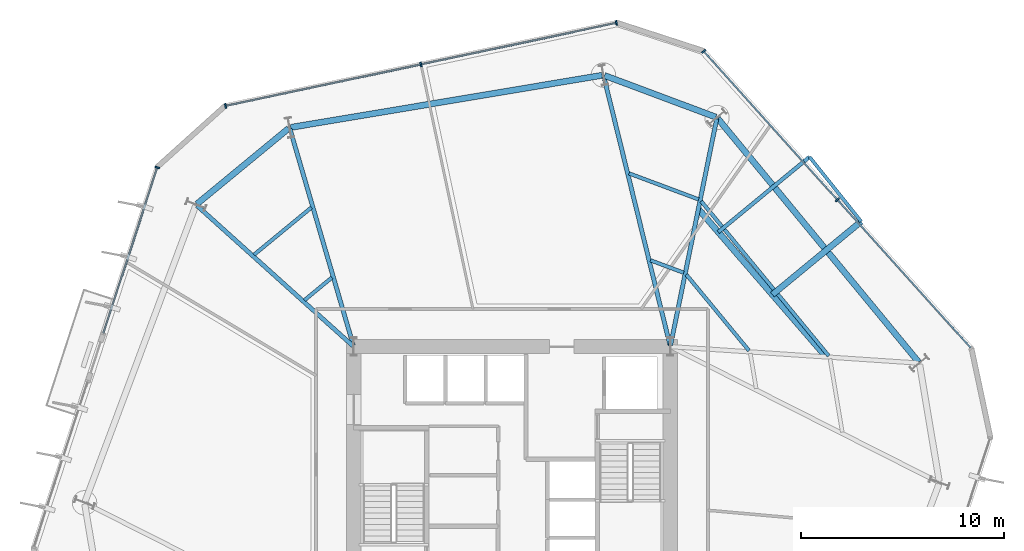
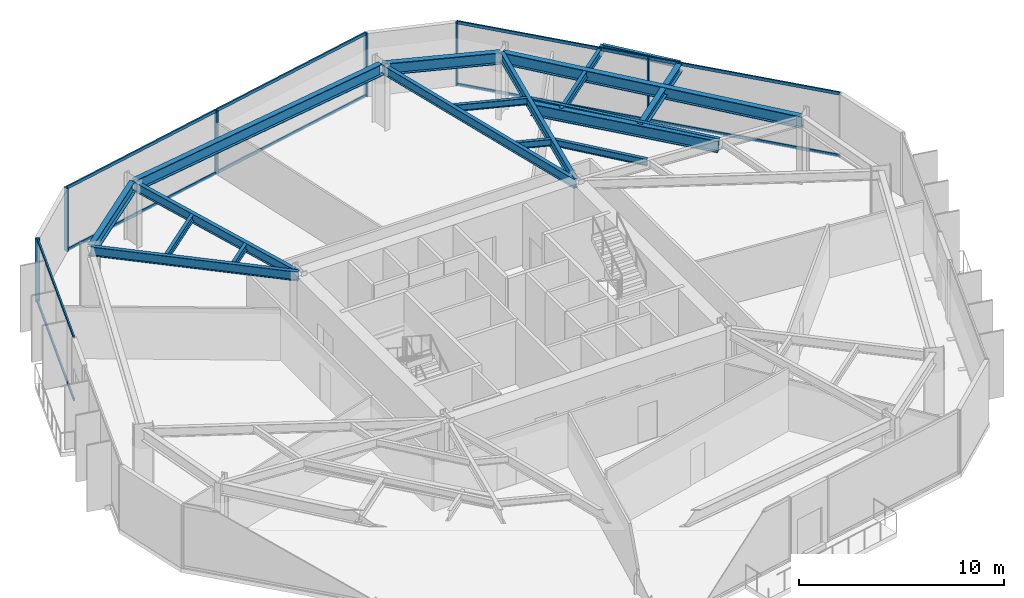
# One storey, part 4 of 10: 18 beams, 16 members, 3 elements without a shape of their own.
"""IFC4 building model written with IfcOpenShell, lengths in metres."""

from ifc_helpers import new_model, si_unit, direction, frame, origin, origin_2d, place, context, subcontext, project, spatial, rectangle, i_section, extrude, material, layer, layer_set, material_profile, profile_set, type_object, element, aggregate, save


model = new_model("IFC4")

# Units and contexts
model_context = context("Model", 3, precision=1e-05, world=origin(), true_north=direction((0.0, 1.0)))
body_context = subcontext(model_context, "Body", "Model", "MODEL_VIEW")
ifc_project = project(units=[si_unit("LENGTHUNIT", "METRE"), si_unit("AREAUNIT", "SQUARE_METRE"), si_unit("VOLUMEUNIT", "CUBIC_METRE"), si_unit("PLANEANGLEUNIT", "RADIAN"), si_unit("MASSUNIT", "GRAM", prefix="KILO")], contexts=[model_context])

# Site, building, storey
site_placement = place(None, origin())
site = spatial("IfcSite", under=ifc_project, at=site_placement, CompositionType="ELEMENT")
building_placement = place(site_placement, origin())
building = spatial("IfcBuilding", under=site, at=building_placement, Name="Kranzbogen Civic Tower", CompositionType="ELEMENT")
storey_placement = place(building_placement, frame((0.0, 0.0, 68.0)))
storey = spatial("IfcBuildingStorey", under=building, at=storey_placement, Name="L16", CompositionType="ELEMENT", Elevation=68.0)

# Beam
ifc_material_1 = material(Name="Steel S355", Category="steel")
ifc_material_profile_1 = material_profile(ifc_material_1, i_section(OverallWidth=0.18994140625, OverallDepth=0.449951171875, WebThickness=0.009521484375, FlangeThickness=0.0146484375, at=origin_2d()), Name="IPE 450")
ifc_profile_set_1 = profile_set([ifc_material_profile_1], Name="Steel S355")
beam_type_1 = type_object("IfcBeamType", Name="Braced Terrace Edge Beam IPE 450", PredefinedType="BEAM", material=ifc_profile_set_1)
beam_1_placement = place(storey_placement, frame((35.1630859375, 37.841064453125, 3.52490234375), z_axis=(0.771677253301, 0.636014321173, 0.0), x_axis=(-0.636014321173, 0.771677253301, 0.0)))
element("IfcBeam", 1, at=beam_1_placement, inside=storey, type_object=beam_type_1, Name="L17 back-spanned terrace beam L17-TB2-2", PredefinedType="BEAM", context=body_context, shape_type="SweptSolid", body=[
    extrude(i_section(OverallWidth=0.18994140625, OverallDepth=0.449951171875, WebThickness=0.009521484375, FlangeThickness=0.0146484375, at=origin_2d()), origin(), (0.0, 0.0, 1.0), 5.823486328125),
])

# Curtain wall, members
ifc_material_2 = material(Name="Pale Anodised Aluminium", Category="aluminium")
ifc_layer = layer(ifc_material_2, 0.219970703125, Name="Pale Anodised Aluminium")
ifc_layer_set = layer_set([ifc_layer], Name="Pale Anodised Aluminium")
curtain_wall_type = type_object("IfcCurtainWallType", Name="Zone 1 Stick Curtain Wall System CW-02", PredefinedType="USERDEFINED", material=ifc_layer_set)
curtain_wall_1_placement = place(storey_placement, origin())
curtain_wall_1 = element("IfcCurtainWall", 2, at=curtain_wall_1_placement, inside=storey, type_object=curtain_wall_type, Name="L16 curtain wall CW-L16-F1", ObjectType="STICK CURTAIN WALL", PredefinedType="USERDEFINED")
ifc_material_profile_2 = material_profile(ifc_material_2, rectangle(XDim=0.080078125, YDim=0.239990234375, at=origin_2d()), Name="ALU-M 80x240")
ifc_profile_set_2 = profile_set([ifc_material_profile_2], Name="Pale Anodised Aluminium")
member_type_1 = type_object("IfcMemberType", Name="Curtain Wall Mullion ALU-M 80x240", PredefinedType="MULLION", material=ifc_profile_set_2)
member_1_placement = place(storey_placement, frame((41.031005859375, 39.43505859375, 0.0), z_axis=(0.0, 0.0, 1.0), x_axis=(-0.669115812041, 0.743158146074, 0.0)))
member_1 = element("IfcMember", 3, at=member_1_placement, type_object=member_type_1, Name="CW-02 mullion 2", PredefinedType="MULLION", context=body_context, shape_type="SweptSolid", body=[
    extrude(rectangle(XDim=0.080078125, YDim=0.239990234375, at=origin_2d()), origin(), (0.0, 0.0, 1.0), 3.760009765625),
])
member_2_placement = place(storey_placement, frame((34.445068359375, 46.749755859375, 0.0), z_axis=(0.0, 0.0, 1.0), x_axis=(-0.669115812041, 0.743158146074, 0.0)))
member_2 = element("IfcMember", 4, at=member_2_placement, type_object=member_type_1, Name="CW-02 mullion 3", PredefinedType="MULLION", context=body_context, shape_type="SweptSolid", body=[
    extrude(rectangle(XDim=0.080078125, YDim=0.239990234375, at=origin_2d()), origin(), (0.0, 0.0, 1.0), 3.760009765625),
])

curtain_wall_2_placement = place(storey_placement, origin())
curtain_wall_2 = element("IfcCurtainWall", 5, at=curtain_wall_2_placement, inside=storey, type_object=curtain_wall_type, Name="L16 curtain wall CW-L16-F2", ObjectType="STICK CURTAIN WALL", PredefinedType="USERDEFINED")
member_3_placement = place(storey_placement, frame((30.1416015625, 48.146728515625, 0.0), z_axis=(0.0, 0.0, 1.0), x_axis=(-0.97815897964, -0.207858150069, 0.0)))
member_3 = element("IfcMember", 6, at=member_3_placement, type_object=member_type_1, Name="CW-02 mullion 1", PredefinedType="MULLION", context=body_context, shape_type="SweptSolid", body=[
    extrude(rectangle(XDim=0.080078125, YDim=0.239990234375, at=origin_2d()), origin(), (0.0, 0.0, 1.0), 3.760009765625),
])
member_4_placement = place(storey_placement, frame((20.514404296875, 46.10107421875, 0.0), z_axis=(0.0, 0.0, 1.0), x_axis=(-0.97815897964, -0.207858150069, 0.0)))
member_4 = element("IfcMember", 7, at=member_4_placement, type_object=member_type_1, Name="CW-02 mullion 2", PredefinedType="MULLION", context=body_context, shape_type="SweptSolid", body=[
    extrude(rectangle(XDim=0.080078125, YDim=0.239990234375, at=origin_2d()), origin(), (0.0, 0.0, 1.0), 3.760009765625),
])
member_5_placement = place(storey_placement, frame((10.887451171875, 44.05517578125, 0.0), z_axis=(0.0, 0.0, 1.0), x_axis=(-0.97815897964, -0.207858150069, 0.0)))
member_5 = element("IfcMember", 8, at=member_5_placement, type_object=member_type_1, Name="CW-02 mullion 3", PredefinedType="MULLION", context=body_context, shape_type="SweptSolid", body=[
    extrude(rectangle(XDim=0.080078125, YDim=0.239990234375, at=origin_2d()), origin(), (0.0, 0.0, 1.0), 3.760009765625),
])

# Curtain wall, member
curtain_wall_3_placement = place(storey_placement, origin())
curtain_wall_3 = element("IfcCurtainWall", 9, at=curtain_wall_3_placement, inside=storey, type_object=curtain_wall_type, Name="L16 curtain wall CW-L16-F3-S1", ObjectType="STICK CURTAIN WALL", PredefinedType="USERDEFINED")
member_6_placement = place(storey_placement, frame((7.524658203125, 41.0263671875, 0.0), z_axis=(0.0, 0.0, 1.0), x_axis=(-0.30905738889, -0.951043390373, 0.0)))
member_6 = element("IfcMember", 10, at=member_6_placement, type_object=member_type_1, Name="CW-02 mullion 1", PredefinedType="MULLION", context=body_context, shape_type="SweptSolid", body=[
    extrude(rectangle(XDim=0.080078125, YDim=0.239990234375, at=origin_2d()), origin(), (0.0, 0.0, 1.0), 3.760009765625),
])

# Member
ifc_material_profile_3 = material_profile(ifc_material_2, rectangle(XDim=0.080078125, YDim=0.179931640625, at=origin_2d()), Name="ALU-T 80x180")
ifc_profile_set_3 = profile_set([ifc_material_profile_3], Name="Pale Anodised Aluminium")
member_type_2 = type_object("IfcMemberType", Name="Curtain Wall Transom ALU-T 80x180", PredefinedType="USERDEFINED", material=ifc_profile_set_3)
member_7_placement = place(storey_placement, frame((47.596923828125, 32.142578125, 0.030029296875), z_axis=(-0.669127413908, 0.743147699961, 0.0), x_axis=(-0.743147699961, -0.669127413908, 0.0)))
member_7 = element("IfcMember", 11, at=member_7_placement, type_object=member_type_2, Name="CW-02 transom 1.1", ObjectType="TRANSOM", PredefinedType="USERDEFINED", context=body_context, shape_type="SweptSolid", body=[
    extrude(rectangle(XDim=0.080078125, YDim=0.179931640625, at=origin_2d()), origin(), (0.0, 0.0, 1.0), 9.78271484375),
])

member_8_placement = place(storey_placement, frame((47.596923828125, 32.142578125, 3.72998046875), z_axis=(-0.669127413908, 0.743147699961, 0.0), x_axis=(-0.743147699961, -0.669127413908, 0.0)))
member_8 = element("IfcMember", 12, at=member_8_placement, type_object=member_type_2, Name="CW-02 transom 1.2", ObjectType="TRANSOM", PredefinedType="USERDEFINED", context=body_context, shape_type="SweptSolid", body=[
    extrude(rectangle(XDim=0.080078125, YDim=0.179931640625, at=origin_2d()), origin(), (0.0, 0.0, 1.0), 9.78271484375),
])

member_9_placement = place(storey_placement, frame((41.010986328125, 39.457275390625, 0.030029296875), z_axis=(-0.669127413908, 0.743147699961, 0.0), x_axis=(-0.743147699961, -0.669127413908, 0.0)))
member_9 = element("IfcMember", 13, at=member_9_placement, type_object=member_type_2, Name="CW-02 transom 2.1", ObjectType="TRANSOM", PredefinedType="USERDEFINED", context=body_context, shape_type="SweptSolid", body=[
    extrude(rectangle(XDim=0.080078125, YDim=0.179931640625, at=origin_2d()), origin(), (0.0, 0.0, 1.0), 9.78271484375),
])

member_10_placement = place(storey_placement, frame((41.010986328125, 39.457275390625, 3.72998046875), z_axis=(-0.669127413908, 0.743147699961, 0.0), x_axis=(-0.743147699961, -0.669127413908, 0.0)))
member_10 = element("IfcMember", 14, at=member_10_placement, type_object=member_type_2, Name="CW-02 transom 2.2", ObjectType="TRANSOM", PredefinedType="USERDEFINED", context=body_context, shape_type="SweptSolid", body=[
    extrude(rectangle(XDim=0.080078125, YDim=0.179931640625, at=origin_2d()), origin(), (0.0, 0.0, 1.0), 9.78271484375),
])

aggregate(curtain_wall_1, [member_1, member_2, member_7, member_8, member_9, member_10])

member_11_placement = place(storey_placement, frame((30.1123046875, 48.140625, 0.030029296875), z_axis=(-0.978155298667, -0.207875471591, 0.0), x_axis=(0.207875471591, -0.978155298667, 0.0)))
member_11 = element("IfcMember", 15, at=member_11_placement, type_object=member_type_2, Name="CW-02 transom 1.1", ObjectType="TRANSOM", PredefinedType="USERDEFINED", context=body_context, shape_type="SweptSolid", body=[
    extrude(rectangle(XDim=0.080078125, YDim=0.179931640625, at=origin_2d()), origin(), (0.0, 0.0, 1.0), 9.781982421875),
])

member_12_placement = place(storey_placement, frame((30.1123046875, 48.140625, 3.72998046875), z_axis=(-0.978155298667, -0.207875471591, 0.0), x_axis=(0.207875471591, -0.978155298667, 0.0)))
member_12 = element("IfcMember", 16, at=member_12_placement, type_object=member_type_2, Name="CW-02 transom 1.2", ObjectType="TRANSOM", PredefinedType="USERDEFINED", context=body_context, shape_type="SweptSolid", body=[
    extrude(rectangle(XDim=0.080078125, YDim=0.179931640625, at=origin_2d()), origin(), (0.0, 0.0, 1.0), 9.781982421875),
])

member_13_placement = place(storey_placement, frame((20.485107421875, 46.0947265625, 0.030029296875), z_axis=(-0.978160373231, -0.207851591862, 0.0), x_axis=(0.207851591862, -0.978160373231, 0.0)))
member_13 = element("IfcMember", 17, at=member_13_placement, type_object=member_type_2, Name="CW-02 transom 2.1", ObjectType="TRANSOM", PredefinedType="USERDEFINED", context=body_context, shape_type="SweptSolid", body=[
    extrude(rectangle(XDim=0.080078125, YDim=0.179931640625, at=origin_2d()), origin(), (0.0, 0.0, 1.0), 9.781982421875),
])

member_14_placement = place(storey_placement, frame((20.485107421875, 46.0947265625, 3.72998046875), z_axis=(-0.978160373231, -0.207851591862, 0.0), x_axis=(0.207851591862, -0.978160373231, 0.0)))
member_14 = element("IfcMember", 18, at=member_14_placement, type_object=member_type_2, Name="CW-02 transom 2.2", ObjectType="TRANSOM", PredefinedType="USERDEFINED", context=body_context, shape_type="SweptSolid", body=[
    extrude(rectangle(XDim=0.080078125, YDim=0.179931640625, at=origin_2d()), origin(), (0.0, 0.0, 1.0), 9.781982421875),
])

aggregate(curtain_wall_2, [member_3, member_4, member_5, member_11, member_12, member_13, member_14])

member_15_placement = place(storey_placement, frame((7.515380859375, 40.998046875, 0.030029296875), z_axis=(-0.30904152995, -0.951048543854, 0.0), x_axis=(0.951048543854, -0.30904152995, 0.0)))
member_15 = element("IfcMember", 19, at=member_15_placement, type_object=member_type_2, Name="CW-02 transom 1.1", ObjectType="TRANSOM", PredefinedType="USERDEFINED", context=body_context, shape_type="SweptSolid", body=[
    extrude(rectangle(XDim=0.080078125, YDim=0.179931640625, at=origin_2d()), origin(), (0.0, 0.0, 1.0), 8.5517578125),
])

member_16_placement = place(storey_placement, frame((7.515380859375, 40.998046875, 3.72998046875), z_axis=(-0.30904152995, -0.951048543854, 0.0), x_axis=(0.951048543854, -0.30904152995, 0.0)))
member_16 = element("IfcMember", 20, at=member_16_placement, type_object=member_type_2, Name="CW-02 transom 1.2", ObjectType="TRANSOM", PredefinedType="USERDEFINED", context=body_context, shape_type="SweptSolid", body=[
    extrude(rectangle(XDim=0.080078125, YDim=0.179931640625, at=origin_2d()), origin(), (0.0, 0.0, 1.0), 8.5517578125),
])

aggregate(curtain_wall_3, [member_6, member_15, member_16])

# Beams
ifc_material_profile_4 = material_profile(ifc_material_1, i_section(OverallWidth=0.300048828125, OverallDepth=0.5, WebThickness=0.014404296875, FlangeThickness=0.028076171875, at=origin_2d()), Name="HEB 500")
ifc_profile_set_4 = profile_set([ifc_material_profile_4], Name="Steel S355")
beam_type_2 = type_object("IfcBeamType", Name="Perimeter Tube Spandrel Beam HEB 500", PredefinedType="SPANDREL", material=ifc_profile_set_4)
beam_2_placement = place(storey_placement, frame((37.827880859375, 34.759033203125, 3.5), z_axis=(0.77162915137, 0.636072678832, 0.0), x_axis=(-0.636072678832, 0.77162915137, 0.0)))
element("IfcBeam", 21, at=beam_2_placement, inside=storey, type_object=beam_type_2, Name="L17 back-spanned terrace beam L17-TB2-1", PredefinedType="SPANDREL", context=body_context, shape_type="SweptSolid", body=[
    extrude(i_section(OverallWidth=0.300048828125, OverallDepth=0.5, WebThickness=0.014404296875, FlangeThickness=0.028076171875, at=origin_2d()), origin(), (0.0, 0.0, 1.0), 5.666015625),
])
ifc_material_profile_5 = material_profile(ifc_material_1, i_section(OverallWidth=0.300048828125, OverallDepth=0.699951171875, WebThickness=0.01708984375, FlangeThickness=0.031982421875, at=origin_2d()), Name="HEB 700")
ifc_profile_set_5 = profile_set([ifc_material_profile_5], Name="Steel S355")
beam_type_3 = type_object("IfcBeamType", Name="Perimeter Tube Spandrel Beam HEB 700", PredefinedType="SPANDREL", material=ifc_profile_set_5)
beam_3_placement = place(storey_placement, frame((45.033935546875, 31.431884765625, 3.409912109375), z_axis=(-0.636074572579, 0.771627590304, 0.0), x_axis=(-0.771627590304, -0.636074572579, 0.0)))
element("IfcBeam", 22, at=beam_3_placement, inside=storey, type_object=beam_type_3, Name="L16 perimeter spandrel beam 08", PredefinedType="SPANDREL", context=body_context, shape_type="SweptSolid", body=[
    extrude(i_section(OverallWidth=0.300048828125, OverallDepth=0.699951171875, WebThickness=0.01708984375, FlangeThickness=0.031982421875, at=origin_2d()), origin(), (0.0, 0.0, 1.0), 15.5595703125),
])
beam_4_placement = place(storey_placement, frame((35.04296875, 43.5048828125, 3.409912109375), z_axis=(-0.936647646965, 0.350273015568, 0.0), x_axis=(-0.350273015568, -0.936647646965, 0.0)))
element("IfcBeam", 23, at=beam_4_placement, inside=storey, type_object=beam_type_3, Name="L16 perimeter spandrel beam 09", PredefinedType="SPANDREL", context=body_context, shape_type="SweptSolid", body=[
    extrude(i_section(OverallWidth=0.300048828125, OverallDepth=0.699951171875, WebThickness=0.01708984375, FlangeThickness=0.031982421875, at=origin_2d()), origin(), (0.0, 0.0, 1.0), 5.852783203125),
])
beam_5_placement = place(storey_placement, frame((29.446044921875, 45.56591796875, 3.409912109375), z_axis=(-0.986285563243, -0.165047834697, 0.0), x_axis=(0.165047834697, -0.986285563243, 0.0)))
element("IfcBeam", 24, at=beam_5_placement, inside=storey, type_object=beam_type_3, Name="L16 perimeter spandrel beam 10", PredefinedType="SPANDREL", context=body_context, shape_type="SweptSolid", body=[
    extrude(i_section(OverallWidth=0.300048828125, OverallDepth=0.699951171875, WebThickness=0.01708984375, FlangeThickness=0.031982421875, at=origin_2d()), origin(), (0.0, 0.0, 1.0), 15.558349609375),
])
beam_6_placement = place(storey_placement, frame((13.99609375, 42.949951171875, 3.409912109375), z_axis=(-0.77168336865, -0.636006901337, 0.0), x_axis=(0.636006901337, -0.77168336865, 0.0)))
element("IfcBeam", 25, at=beam_6_placement, inside=storey, type_object=beam_type_3, Name="L16 perimeter spandrel beam 11", PredefinedType="SPANDREL", context=body_context, shape_type="SweptSolid", body=[
    extrude(i_section(OverallWidth=0.300048828125, OverallDepth=0.699951171875, WebThickness=0.01708984375, FlangeThickness=0.031982421875, at=origin_2d()), origin(), (0.0, 0.0, 1.0), 5.853515625),
])
beam_7_placement = place(storey_placement, frame((40.48193359375, 31.68994140625, 3.39990234375), z_axis=(-0.654072384898, 0.75643196344, 0.0), x_axis=(-0.75643196344, -0.654072384898, 0.0)))
element("IfcBeam", 26, at=beam_7_placement, inside=storey, type_object=beam_type_3, Name="L17 balcony back-span header girder L17-TB2", PredefinedType="SPANDREL", context=body_context, shape_type="SweptSolid", body=[
    extrude(i_section(OverallWidth=0.300048828125, OverallDepth=0.699951171875, WebThickness=0.01708984375, FlangeThickness=0.031982421875, at=origin_2d()), origin(), (0.0, 0.0, 1.0), 9.633544921875),
])
ifc_material_profile_6 = material_profile(ifc_material_1, i_section(OverallWidth=0.2099609375, OverallDepth=0.550048828125, WebThickness=0.010986328125, FlangeThickness=0.01708984375, at=origin_2d()), Name="IPE 550")
ifc_profile_set_6 = profile_set([ifc_material_profile_6], Name="Steel S355")
beam_type_4 = type_object("IfcBeamType", Name="Radial Tower Floor Girder IPE 550", PredefinedType="BEAM", material=ifc_profile_set_6)
beam_8_placement = place(storey_placement, frame((35.0869140625, 43.425048828125, 3.485107421875), z_axis=(-0.199633433694, -0.979870650725, 0.0), x_axis=(0.979870650725, -0.199633433694, 0.0)))
element("IfcBeam", 27, at=beam_8_placement, inside=storey, type_object=beam_type_4, Name="L16 radial floor girder 09", PredefinedType="BEAM", context=body_context, shape_type="SweptSolid", body=[
    extrude(i_section(OverallWidth=0.2099609375, OverallDepth=0.550048828125, WebThickness=0.010986328125, FlangeThickness=0.01708984375, at=origin_2d()), origin(), (0.0, 0.0, 1.0), 11.3955078125),
])
beam_9_placement = place(storey_placement, frame((29.51904296875, 45.51806640625, 3.485107421875), z_axis=(0.239215348776, -0.970966537482, 0.0), x_axis=(0.970966537482, 0.239215348776, 0.0)))
element("IfcBeam", 28, at=beam_9_placement, inside=storey, type_object=beam_type_4, Name="L16 radial floor girder 10", PredefinedType="BEAM", context=body_context, shape_type="SweptSolid", body=[
    extrude(i_section(OverallWidth=0.2099609375, OverallDepth=0.550048828125, WebThickness=0.010986328125, FlangeThickness=0.01708984375, at=origin_2d()), origin(), (0.0, 0.0, 1.0), 13.656494140625),
])
beam_10_placement = place(storey_placement, frame((14.05908203125, 42.929931640625, 3.485107421875), z_axis=(0.280944131918, -0.959724124288, 0.0), x_axis=(0.959724124288, 0.280944131918, 0.0)))
element("IfcBeam", 29, at=beam_10_placement, inside=storey, type_object=beam_type_4, Name="L16 radial floor girder 11", PredefinedType="BEAM", context=body_context, shape_type="SweptSolid", body=[
    extrude(i_section(OverallWidth=0.2099609375, OverallDepth=0.550048828125, WebThickness=0.010986328125, FlangeThickness=0.01708984375, at=origin_2d()), origin(), (0.0, 0.0, 1.0), 11.11962890625),
])
beam_11_placement = place(storey_placement, frame((9.47802734375, 39.14892578125, 3.485107421875), z_axis=(0.743311776894, -0.668945141496, 0.0), x_axis=(0.668945141496, 0.743311776894, 0.0)))
element("IfcBeam", 30, at=beam_11_placement, inside=storey, type_object=beam_type_4, Name="L16 radial floor girder 12", PredefinedType="BEAM", context=body_context, shape_type="SweptSolid", body=[
    extrude(i_section(OverallWidth=0.2099609375, OverallDepth=0.550048828125, WebThickness=0.010986328125, FlangeThickness=0.01708984375, at=origin_2d()), origin(), (0.0, 0.0, 1.0), 10.328125),
])
ifc_material_profile_7 = material_profile(ifc_material_1, i_section(OverallWidth=0.169921875, OverallDepth=0.360107421875, WebThickness=0.008056640625, FlangeThickness=0.0126953125, at=origin_2d()), Name="IPE 360")
ifc_profile_set_7 = profile_set([ifc_material_profile_7], Name="Steel S355")
beam_type_5 = type_object("IfcBeamType", Name="Secondary Composite Floor Joist IPE 360", PredefinedType="JOIST", material=ifc_profile_set_7)
beam_12_placement = place(storey_placement, frame((42.199951171875, 38.363037109375, 3.570068359375), z_axis=(-0.624314878506, 0.78117279297, 0.0), x_axis=(-0.78117279297, -0.624314878506, 0.0)))
element("IfcBeam", 31, at=beam_12_placement, inside=storey, type_object=beam_type_5, Name="L17 terrace outer edge trimmer L17-TB2", PredefinedType="JOIST", context=body_context, shape_type="SweptSolid", body=[
    extrude(i_section(OverallWidth=0.169921875, OverallDepth=0.360107421875, WebThickness=0.008056640625, FlangeThickness=0.0126953125, at=origin_2d()), origin(), (0.0, 0.0, 1.0), 4.0732421875),
])
ifc_material_profile_8 = material_profile(ifc_material_1, i_section(OverallWidth=0.179931640625, OverallDepth=0.39990234375, WebThickness=0.008544921875, FlangeThickness=0.013427734375, at=origin_2d()), Name="IPE 400")
ifc_profile_set_8 = profile_set([ifc_material_profile_8], Name="Steel S355")
beam_type_6 = type_object("IfcBeamType", Name="Secondary Composite Floor Joist IPE 400", PredefinedType="JOIST", material=ifc_profile_set_8)
beam_13_placement = place(storey_placement, frame((40.60302734375, 31.740966796875, 3.56005859375), z_axis=(-0.636094561772, 0.771611112209, 0.0), x_axis=(-0.771611112209, -0.636094561772, 0.0)))
element("IfcBeam", 32, at=beam_13_placement, inside=storey, type_object=beam_type_6, Name="L16 secondary floor joist 1.08", PredefinedType="JOIST", context=body_context, shape_type="SweptSolid", body=[
    extrude(i_section(OverallWidth=0.179931640625, OverallDepth=0.39990234375, WebThickness=0.008544921875, FlangeThickness=0.013427734375, at=origin_2d()), origin(), (0.0, 0.0, 1.0), 9.874267578125),
])
beam_14_placement = place(storey_placement, frame((36.676025390625, 32.0009765625, 3.56005859375), z_axis=(-0.636012010413, 0.771679157818, 0.0), x_axis=(-0.771679157818, -0.636012010413, 0.0)))
element("IfcBeam", 33, at=beam_14_placement, inside=storey, type_object=beam_type_6, Name="L16 secondary floor joist 2.08", PredefinedType="JOIST", context=body_context, shape_type="SweptSolid", body=[
    extrude(i_section(OverallWidth=0.179931640625, OverallDepth=0.39990234375, WebThickness=0.008544921875, FlangeThickness=0.013427734375, at=origin_2d()), origin(), (0.0, 0.0, 1.0), 4.85693359375),
])
beam_15_placement = place(storey_placement, frame((34.196044921875, 39.449951171875, 3.56005859375), z_axis=(-0.936622008794, 0.350341565678, 0.0), x_axis=(-0.350341565678, -0.936622008794, 0.0)))
element("IfcBeam", 34, at=beam_15_placement, inside=storey, type_object=beam_type_6, Name="L16 secondary floor joist 1.09", PredefinedType="JOIST", context=body_context, shape_type="SweptSolid", body=[
    extrude(i_section(OverallWidth=0.179931640625, OverallDepth=0.39990234375, WebThickness=0.008544921875, FlangeThickness=0.013427734375, at=origin_2d()), origin(), (0.0, 0.0, 1.0), 3.662109375),
])
beam_16_placement = place(storey_placement, frame((33.4609375, 35.839111328125, 3.56005859375), z_axis=(-0.936735458815, 0.350038112495, 0.0), x_axis=(-0.350038112495, -0.936735458815, 0.0)))
element("IfcBeam", 35, at=beam_16_placement, inside=storey, type_object=beam_type_6, Name="L16 secondary floor joist 2.09", PredefinedType="JOIST", context=body_context, shape_type="SweptSolid", body=[
    extrude(i_section(OverallWidth=0.179931640625, OverallDepth=0.39990234375, WebThickness=0.008544921875, FlangeThickness=0.013427734375, at=origin_2d()), origin(), (0.0, 0.0, 1.0), 1.750732421875),
])
beam_17_placement = place(storey_placement, frame((15.116943359375, 39.052978515625, 3.56005859375), z_axis=(-0.771712720426, -0.635971286406, 0.0), x_axis=(0.635971286406, -0.771712720426, 0.0)))
element("IfcBeam", 36, at=beam_17_placement, inside=storey, type_object=beam_type_6, Name="L16 secondary floor joist 1.11", PredefinedType="JOIST", context=body_context, shape_type="SweptSolid", body=[
    extrude(i_section(OverallWidth=0.179931640625, OverallDepth=0.39990234375, WebThickness=0.008544921875, FlangeThickness=0.013427734375, at=origin_2d()), origin(), (0.0, 0.0, 1.0), 3.661865234375),
])
beam_18_placement = place(storey_placement, frame((16.1279296875, 35.60107421875, 3.56005859375), z_axis=(-0.771773324836, -0.635897739477, 0.0), x_axis=(0.635897739477, -0.771773324836, 0.0)))
element("IfcBeam", 37, at=beam_18_placement, inside=storey, type_object=beam_type_6, Name="L16 secondary floor joist 2.11", PredefinedType="JOIST", context=body_context, shape_type="SweptSolid", body=[
    extrude(i_section(OverallWidth=0.179931640625, OverallDepth=0.39990234375, WebThickness=0.008544921875, FlangeThickness=0.013427734375, at=origin_2d()), origin(), (0.0, 0.0, 1.0), 1.751953125),
])

save(model, "model.ifc")
